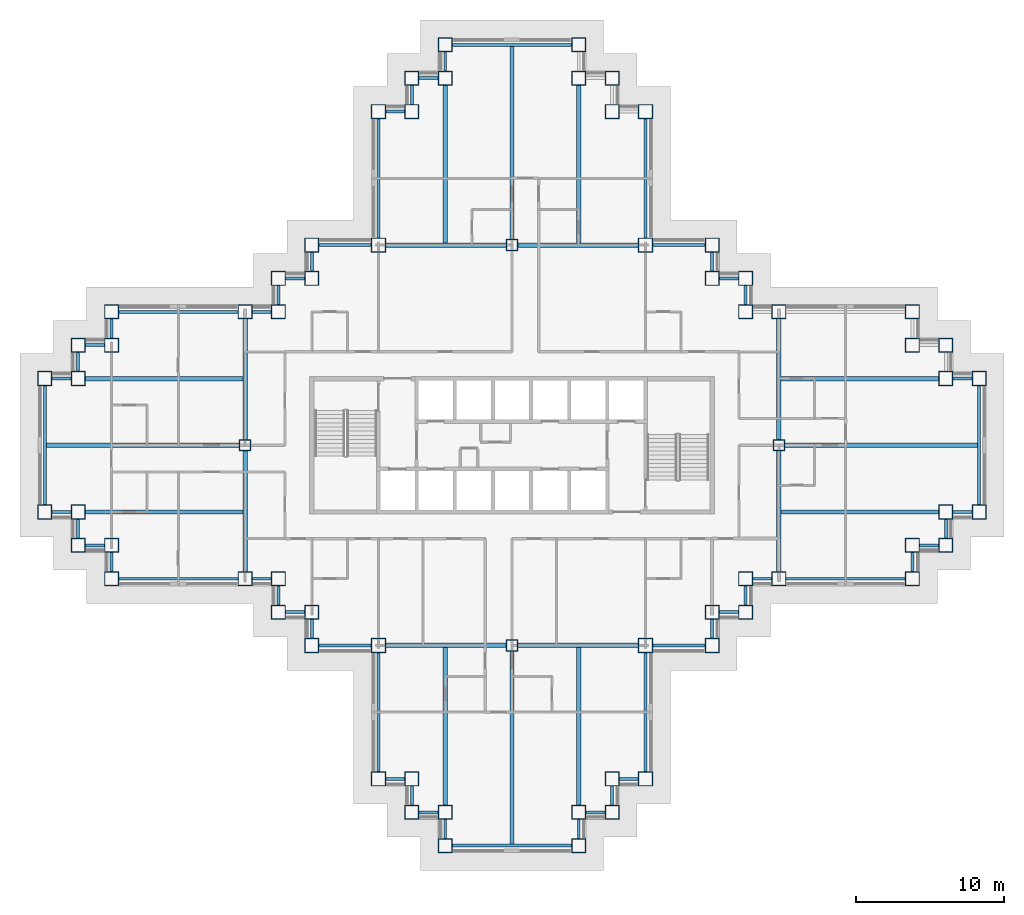
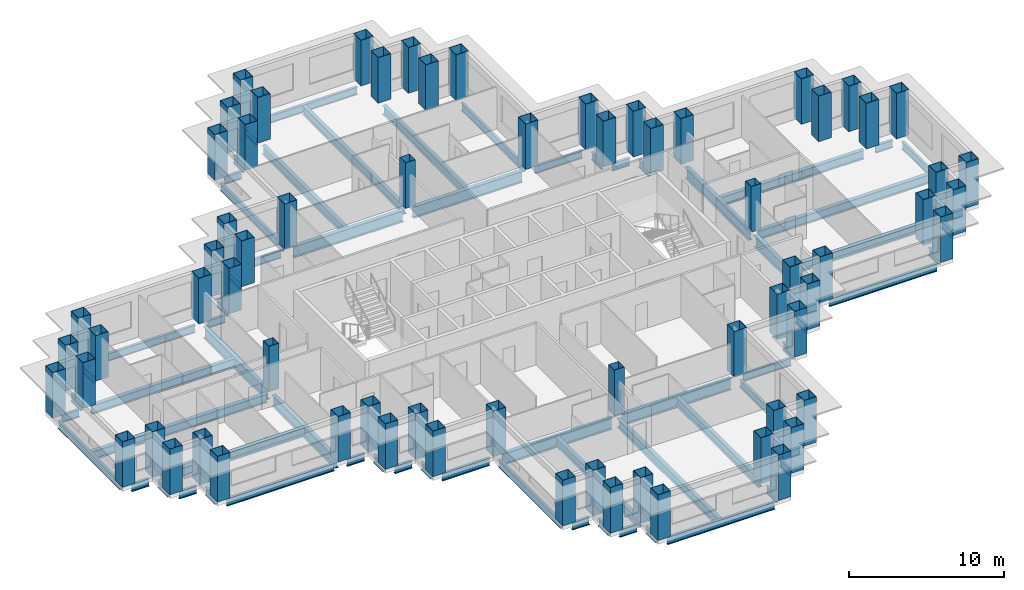
# One storey, part 1 of 14: 75 beams, 68 columns.
"""IFC4 building model written with IfcOpenShell, lengths in metres."""

from ifc_helpers import new_model, si_unit, direction, frame, origin, origin_2d, place, context, subcontext, project, spatial, hollow_rectangle, i_section, extrude, material, material_profile, profile_set, type_object, element, save


model = new_model("IFC4")

# Units and contexts
model_context = context("Model", 3, precision=1e-05, world=origin(), true_north=direction((0.0, 1.0)))
body_context = subcontext(model_context, "Body", "Model", "MODEL_VIEW")
ifc_project = project(units=[si_unit("LENGTHUNIT", "METRE"), si_unit("AREAUNIT", "SQUARE_METRE"), si_unit("VOLUMEUNIT", "CUBIC_METRE"), si_unit("PLANEANGLEUNIT", "RADIAN"), si_unit("MASSUNIT", "GRAM", prefix="KILO")], contexts=[model_context])

# Site, building, storey
site_placement = place(None, origin())
site = spatial("IfcSite", under=ifc_project, at=site_placement, CompositionType="ELEMENT")
building_placement = place(site_placement, origin())
building = spatial("IfcBuilding", under=site, at=building_placement, Name="Caravel Reach Hotel and Residences", CompositionType="ELEMENT")
storey_placement = place(building_placement, frame((0.0, 0.0, 88.800048828125)))
storey = spatial("IfcBuildingStorey", under=building, at=storey_placement, Name="L21", CompositionType="ELEMENT", Elevation=88.800048828125)

# Columns
ifc_material_1 = material(Name="Concrete-filled steel tube Q390B with Concrete C70 infill", Category="concrete")
ifc_material_profile_1 = material_profile(ifc_material_1, hollow_rectangle(XDim=0.75, YDim=0.75, WallThickness=0.02392578125, at=origin_2d()), Name="RHS 750x750x24")
ifc_profile_set_1 = profile_set([ifc_material_profile_1], Name="Concrete-filled steel tube Q390B with Concrete C70 infill")
column_type_1 = type_object("IfcColumnType", Name="CFT 750x750 Q390B C70", PredefinedType="COLUMN", material=ifc_profile_set_1)
for number, where, z_axis, x_axis, name in (
    (1, (31.5, 40.5, 0.0), (0.0, 0.0, 1.0), (1.0, 0.0, 0.0), "C16 column"),
    (2, (31.5, 13.5, 0.0), (0.0, 0.0, 1.0), (1.0, 0.0, 0.0), "C16 column"),
    (3, (13.5, 27.0, 0.0), (0.0, 0.0, 1.0), (1.0, 0.0, 0.0), "C16 column"),
    (4, (49.5, 27.0, 0.0), (0.0, 0.0, 1.0), (1.0, 0.0, 0.0), "C16 column"),
):
    element("IfcColumn", number, at=place(storey_placement, frame(where, z_axis=z_axis, x_axis=x_axis)), inside=storey, type_object=column_type_1, Name=name, PredefinedType="COLUMN", context=body_context, shape_type="SweptSolid", body=[
        extrude(hollow_rectangle(XDim=0.75, YDim=0.75, WallThickness=0.02392578125, at=origin_2d()), origin(), (0.0, 0.0, 1.0), 3.599853515625),
    ])
ifc_material_2 = material(Name="Concrete-filled steel tube Q390B with Concrete C70 infill", Category="concrete")
ifc_material_profile_2 = material_profile(ifc_material_2, hollow_rectangle(XDim=0.949951171875, YDim=0.949951171875, WallThickness=0.030029296875, at=origin_2d()), Name="RHS 950x950x30")
ifc_profile_set_2 = profile_set([ifc_material_profile_2], Name="Concrete-filled steel tube Q390B with Concrete C70 infill")
column_type_2 = type_object("IfcColumnType", Name="CFT 950x950 Q390B C70", PredefinedType="COLUMN", material=ifc_profile_set_2)
for number, where, z_axis, x_axis, name in (
    (5, (22.5, 4.5, 0.0), (0.0, 0.0, 1.0), (1.0, 0.0, 0.0), "C12 column"),
    (6, (24.75, 4.5, 0.0), (0.0, 0.0, 1.0), (1.0, 0.0, 0.0), "C12 column"),
    (7, (24.75, 2.25, 0.0), (0.0, 0.0, 1.0), (1.0, 0.0, 0.0), "C12 column"),
    (8, (27.0, 2.25, 0.0), (0.0, 0.0, 1.0), (1.0, 0.0, 0.0), "C12 column"),
    (9, (27.0, 0.0, 0.0), (0.0, 0.0, 1.0), (1.0, 0.0, 0.0), "C12 column"),
    (10, (36.0, 0.0, 0.0), (0.0, 0.0, 1.0), (1.0, 0.0, 0.0), "C12 column"),
    (11, (36.0, 2.25, 0.0), (0.0, 0.0, 1.0), (1.0, 0.0, 0.0), "C12 column"),
    (12, (38.25, 2.25, 0.0), (0.0, 0.0, 1.0), (1.0, 0.0, 0.0), "C12 column"),
    (13, (38.25, 4.5, 0.0), (0.0, 0.0, 1.0), (1.0, 0.0, 0.0), "C12 column"),
    (14, (40.5, 4.5, 0.0), (0.0, 0.0, 1.0), (1.0, 0.0, 0.0), "C12 column"),
    (15, (40.5, 13.5, 0.0), (0.0, 0.0, 1.0), (1.0, 0.0, 0.0), "C12 column"),
    (16, (45.0, 13.5, 0.0), (0.0, 0.0, 1.0), (1.0, 0.0, 0.0), "C12 column"),
    (17, (45.0, 15.75, 0.0), (0.0, 0.0, 1.0), (1.0, 0.0, 0.0), "C12 column"),
    (18, (47.25, 15.75, 0.0), (0.0, 0.0, 1.0), (1.0, 0.0, 0.0), "C12 column"),
    (19, (47.25, 18.0, 0.0), (0.0, 0.0, 1.0), (1.0, 0.0, 0.0), "C12 column"),
    (20, (49.5, 18.0, 0.0), (0.0, 0.0, 1.0), (1.0, 0.0, 0.0), "C12 column"),
    (21, (58.5, 18.0, 0.0), (0.0, 0.0, 1.0), (1.0, 0.0, 0.0), "C12 column"),
    (22, (58.5, 20.25, 0.0), (0.0, 0.0, 1.0), (1.0, 0.0, 0.0), "C12 column"),
    (23, (60.75, 20.25, 0.0), (0.0, 0.0, 1.0), (1.0, 0.0, 0.0), "C12 column"),
    (24, (60.75, 22.5, 0.0), (0.0, 0.0, 1.0), (1.0, 0.0, 0.0), "C12 column"),
    (25, (63.0, 22.5, 0.0), (0.0, 0.0, 1.0), (1.0, 0.0, 0.0), "C12 column"),
    (26, (63.0, 31.5, 0.0), (0.0, 0.0, 1.0), (1.0, 0.0, 0.0), "C12 column"),
    (27, (60.75, 31.5, 0.0), (0.0, 0.0, 1.0), (1.0, 0.0, 0.0), "C12 column"),
    (28, (60.75, 33.75, 0.0), (0.0, 0.0, 1.0), (1.0, 0.0, 0.0), "C12 column"),
    (29, (58.5, 33.75, 0.0), (0.0, 0.0, 1.0), (1.0, 0.0, 0.0), "C12 column"),
    (30, (58.5, 36.0, 0.0), (0.0, 0.0, 1.0), (1.0, 0.0, 0.0), "C12 column"),
    (31, (49.5, 36.0, 0.0), (0.0, 0.0, 1.0), (1.0, 0.0, 0.0), "C12 column"),
    (32, (47.25, 36.0, 0.0), (0.0, 0.0, 1.0), (1.0, 0.0, 0.0), "C12 column"),
    (33, (47.25, 38.25, 0.0), (0.0, 0.0, 1.0), (1.0, 0.0, 0.0), "C12 column"),
    (34, (45.0, 38.25, 0.0), (0.0, 0.0, 1.0), (1.0, 0.0, 0.0), "C12 column"),
    (35, (45.0, 40.5, 0.0), (0.0, 0.0, 1.0), (1.0, 0.0, 0.0), "C12 column"),
    (36, (40.5, 40.5, 0.0), (0.0, 0.0, 1.0), (1.0, 0.0, 0.0), "C12 column"),
    (37, (40.5, 49.5, 0.0), (0.0, 0.0, 1.0), (1.0, 0.0, 0.0), "C12 column"),
    (38, (38.25, 49.5, 0.0), (0.0, 0.0, 1.0), (1.0, 0.0, 0.0), "C12 column"),
    (39, (38.25, 51.75, 0.0), (0.0, 0.0, 1.0), (1.0, 0.0, 0.0), "C12 column"),
    (40, (36.0, 51.75, 0.0), (0.0, 0.0, 1.0), (1.0, 0.0, 0.0), "C12 column"),
    (41, (36.0, 54.0, 0.0), (0.0, 0.0, 1.0), (1.0, 0.0, 0.0), "C12 column"),
    (42, (27.0, 54.0, 0.0), (0.0, 0.0, 1.0), (1.0, 0.0, 0.0), "C12 column"),
    (43, (27.0, 51.75, 0.0), (0.0, 0.0, 1.0), (1.0, 0.0, 0.0), "C12 column"),
    (44, (24.75, 51.75, 0.0), (0.0, 0.0, 1.0), (1.0, 0.0, 0.0), "C12 column"),
    (45, (24.75, 49.5, 0.0), (0.0, 0.0, 1.0), (1.0, 0.0, 0.0), "C12 column"),
    (46, (22.5, 49.5, 0.0), (0.0, 0.0, 1.0), (1.0, 0.0, 0.0), "C12 column"),
    (47, (22.5, 40.5, 0.0), (0.0, 0.0, 1.0), (1.0, 0.0, 0.0), "C12 column"),
    (48, (18.0, 40.5, 0.0), (0.0, 0.0, 1.0), (1.0, 0.0, 0.0), "C12 column"),
    (49, (18.0, 38.25, 0.0), (0.0, 0.0, 1.0), (1.0, 0.0, 0.0), "C12 column"),
    (50, (15.75, 38.25, 0.0), (0.0, 0.0, 1.0), (1.0, 0.0, 0.0), "C12 column"),
    (51, (15.75, 36.0, 0.0), (0.0, 0.0, 1.0), (1.0, 0.0, 0.0), "C12 column"),
    (52, (13.5, 36.0, 0.0), (0.0, 0.0, 1.0), (1.0, 0.0, 0.0), "C12 column"),
    (53, (4.5, 36.0, 0.0), (0.0, 0.0, 1.0), (1.0, 0.0, 0.0), "C12 column"),
    (54, (4.5, 33.75, 0.0), (0.0, 0.0, 1.0), (1.0, 0.0, 0.0), "C12 column"),
    (55, (2.25, 33.75, 0.0), (0.0, 0.0, 1.0), (1.0, 0.0, 0.0), "C12 column"),
    (56, (2.25, 31.5, 0.0), (0.0, 0.0, 1.0), (1.0, 0.0, 0.0), "C12 column"),
    (57, (0.0, 31.5, 0.0), (0.0, 0.0, 1.0), (1.0, 0.0, 0.0), "C12 column"),
    (58, (0.0, 22.5, 0.0), (0.0, 0.0, 1.0), (1.0, 0.0, 0.0), "C12 column"),
    (59, (2.25, 22.5, 0.0), (0.0, 0.0, 1.0), (1.0, 0.0, 0.0), "C12 column"),
    (60, (2.25, 20.25, 0.0), (0.0, 0.0, 1.0), (1.0, 0.0, 0.0), "C12 column"),
    (61, (4.5, 20.25, 0.0), (0.0, 0.0, 1.0), (1.0, 0.0, 0.0), "C12 column"),
    (62, (4.5, 18.0, 0.0), (0.0, 0.0, 1.0), (1.0, 0.0, 0.0), "C12 column"),
    (63, (13.5, 18.0, 0.0), (0.0, 0.0, 1.0), (1.0, 0.0, 0.0), "C12 column"),
    (64, (15.75, 18.0, 0.0), (0.0, 0.0, 1.0), (1.0, 0.0, 0.0), "C12 column"),
    (65, (15.75, 15.75, 0.0), (0.0, 0.0, 1.0), (1.0, 0.0, 0.0), "C12 column"),
    (66, (18.0, 15.75, 0.0), (0.0, 0.0, 1.0), (1.0, 0.0, 0.0), "C12 column"),
    (67, (18.0, 13.5, 0.0), (0.0, 0.0, 1.0), (1.0, 0.0, 0.0), "C12 column"),
    (68, (22.5, 13.5, 0.0), (0.0, 0.0, 1.0), (1.0, 0.0, 0.0), "C12 column"),
):
    element("IfcColumn", number, at=place(storey_placement, frame(where, z_axis=z_axis, x_axis=x_axis)), inside=storey, type_object=column_type_2, Name=name, PredefinedType="COLUMN", context=body_context, shape_type="SweptSolid", body=[
        extrude(hollow_rectangle(XDim=0.949951171875, YDim=0.949951171875, WallThickness=0.030029296875, at=origin_2d()), origin(), (0.0, 0.0, 1.0), 3.599853515625),
    ])

# Beams
ifc_material_3 = material(Name="Structural steel Q355B", Category="steel")
ifc_material_profile_3 = material_profile(ifc_material_3, i_section(OverallWidth=0.300048828125, OverallDepth=0.699951171875, WebThickness=0.012939453125, FlangeThickness=0.02392578125, FilletRadius=0.01806640625, at=origin_2d()), Name="HN 700x300x13x24")
ifc_profile_set_3 = profile_set([ifc_material_profile_3], Name="Structural steel Q355B")
beam_type_1 = type_object("IfcBeamType", Name="Beam HN 700x300x13x24", PredefinedType="BEAM", material=ifc_profile_set_3)
beam_1_placement = place(storey_placement, frame((27.0, 40.60009765625, -0.650146484375), z_axis=(0.0, 1.0, 0.0), x_axis=(-1.0, 0.0, 0.0)))
element("IfcBeam", 69, at=beam_1_placement, inside=storey, type_object=beam_type_1, Name="B2 HN 700x300x13x24", PredefinedType="BEAM", context=body_context, shape_type="SweptSolid", body=[
    extrude(i_section(OverallWidth=0.300048828125, OverallDepth=0.699951171875, WebThickness=0.012939453125, FlangeThickness=0.02392578125, FilletRadius=0.01806640625, at=origin_2d()), origin(), (0.0, 0.0, 1.0), 10.724853515625),
])
beam_2_placement = place(storey_placement, frame((31.5, 40.824951171875, -0.650146484375), z_axis=(0.0, 1.0, 0.0), x_axis=(-1.0, 0.0, 0.0)))
element("IfcBeam", 70, at=beam_2_placement, inside=storey, type_object=beam_type_1, Name="B2 HN 700x300x13x24", PredefinedType="BEAM", context=body_context, shape_type="SweptSolid", body=[
    extrude(i_section(OverallWidth=0.300048828125, OverallDepth=0.699951171875, WebThickness=0.012939453125, FlangeThickness=0.02392578125, FilletRadius=0.01806640625, at=origin_2d()), origin(), (0.0, 0.0, 1.0), 13.074951171875),
])
for number, where, z_axis, x_axis, name in (
    (71, (36.0, 40.60009765625, -0.650146484375), (0.0, 1.0, 0.0), (-1.0, 0.0, 0.0), "B2 HN 700x300x13x24"),
    (72, (27.0, 13.39990234375, -0.650146484375), (0.0, -1.0, 0.0), (1.0, 0.0, 0.0), "B2 HN 700x300x13x24"),
):
    element("IfcBeam", number, at=place(storey_placement, frame(where, z_axis=z_axis, x_axis=x_axis)), inside=storey, type_object=beam_type_1, Name=name, PredefinedType="BEAM", context=body_context, shape_type="SweptSolid", body=[
        extrude(i_section(OverallWidth=0.300048828125, OverallDepth=0.699951171875, WebThickness=0.012939453125, FlangeThickness=0.02392578125, FilletRadius=0.01806640625, at=origin_2d()), origin(), (0.0, 0.0, 1.0), 10.724853515625),
    ])
beam_3_placement = place(storey_placement, frame((31.5, 13.175048828125, -0.650146484375), z_axis=(0.0, -1.0, 0.0), x_axis=(1.0, 0.0, 0.0)))
element("IfcBeam", 73, at=beam_3_placement, inside=storey, type_object=beam_type_1, Name="B2 HN 700x300x13x24", PredefinedType="BEAM", context=body_context, shape_type="SweptSolid", body=[
    extrude(i_section(OverallWidth=0.300048828125, OverallDepth=0.699951171875, WebThickness=0.012939453125, FlangeThickness=0.02392578125, FilletRadius=0.01806640625, at=origin_2d()), origin(), (0.0, 0.0, 1.0), 13.074951171875),
])
for number, where, z_axis, x_axis, name in (
    (74, (36.0, 13.39990234375, -0.650146484375), (0.0, -1.0, 0.0), (1.0, 0.0, 0.0), "B2 HN 700x300x13x24"),
    (75, (49.60009765625, 22.5, -0.650146484375), (1.0, 0.0, 0.0), (0.0, 1.0, 0.0), "B2 HN 700x300x13x24"),
):
    element("IfcBeam", number, at=place(storey_placement, frame(where, z_axis=z_axis, x_axis=x_axis)), inside=storey, type_object=beam_type_1, Name=name, PredefinedType="BEAM", context=body_context, shape_type="SweptSolid", body=[
        extrude(i_section(OverallWidth=0.300048828125, OverallDepth=0.699951171875, WebThickness=0.012939453125, FlangeThickness=0.02392578125, FilletRadius=0.01806640625, at=origin_2d()), origin(), (0.0, 0.0, 1.0), 10.724853515625),
    ])
beam_4_placement = place(storey_placement, frame((49.824951171875, 27.0, -0.650146484375), z_axis=(1.0, 0.0, 0.0), x_axis=(0.0, 1.0, 0.0)))
element("IfcBeam", 76, at=beam_4_placement, inside=storey, type_object=beam_type_1, Name="B2 HN 700x300x13x24", PredefinedType="BEAM", context=body_context, shape_type="SweptSolid", body=[
    extrude(i_section(OverallWidth=0.300048828125, OverallDepth=0.699951171875, WebThickness=0.012939453125, FlangeThickness=0.02392578125, FilletRadius=0.01806640625, at=origin_2d()), origin(), (0.0, 0.0, 1.0), 13.074951171875),
])
for number, where, z_axis, x_axis, name in (
    (77, (49.60009765625, 31.5, -0.650146484375), (1.0, 0.0, 0.0), (0.0, 1.0, 0.0), "B2 HN 700x300x13x24"),
    (78, (13.39990234375, 22.5, -0.650146484375), (-1.0, 0.0, 0.0), (0.0, -1.0, 0.0), "B2 HN 700x300x13x24"),
):
    element("IfcBeam", number, at=place(storey_placement, frame(where, z_axis=z_axis, x_axis=x_axis)), inside=storey, type_object=beam_type_1, Name=name, PredefinedType="BEAM", context=body_context, shape_type="SweptSolid", body=[
        extrude(i_section(OverallWidth=0.300048828125, OverallDepth=0.699951171875, WebThickness=0.012939453125, FlangeThickness=0.02392578125, FilletRadius=0.01806640625, at=origin_2d()), origin(), (0.0, 0.0, 1.0), 10.724853515625),
    ])
beam_5_placement = place(storey_placement, frame((13.175048828125, 27.0, -0.650146484375), z_axis=(-1.0, 0.0, 0.0), x_axis=(0.0, -1.0, 0.0)))
element("IfcBeam", 79, at=beam_5_placement, inside=storey, type_object=beam_type_1, Name="B2 HN 700x300x13x24", PredefinedType="BEAM", context=body_context, shape_type="SweptSolid", body=[
    extrude(i_section(OverallWidth=0.300048828125, OverallDepth=0.699951171875, WebThickness=0.012939453125, FlangeThickness=0.02392578125, FilletRadius=0.01806640625, at=origin_2d()), origin(), (0.0, 0.0, 1.0), 13.074951171875),
])
beam_6_placement = place(storey_placement, frame((13.39990234375, 31.5, -0.650146484375), z_axis=(-1.0, 0.0, 0.0), x_axis=(0.0, -1.0, 0.0)))
element("IfcBeam", 80, at=beam_6_placement, inside=storey, type_object=beam_type_1, Name="B2 HN 700x300x13x24", PredefinedType="BEAM", context=body_context, shape_type="SweptSolid", body=[
    extrude(i_section(OverallWidth=0.300048828125, OverallDepth=0.699951171875, WebThickness=0.012939453125, FlangeThickness=0.02392578125, FilletRadius=0.01806640625, at=origin_2d()), origin(), (0.0, 0.0, 1.0), 10.724853515625),
])
ifc_material_4 = material(Name="Structural steel Q355B", Category="steel")
ifc_material_profile_4 = material_profile(ifc_material_4, i_section(OverallWidth=0.300048828125, OverallDepth=0.89990234375, WebThickness=0.01611328125, FlangeThickness=0.028076171875, FilletRadius=0.01806640625, at=origin_2d()), Name="HN 900x300x16x28")
ifc_profile_set_4 = profile_set([ifc_material_profile_4], Name="Structural steel Q355B")
beam_type_2 = type_object("IfcBeamType", Name="Beam HN 900x300x16x28", PredefinedType="BEAM", material=ifc_profile_set_4)
for number, where, z_axis, x_axis, name in (
    (81, (22.97509765625, 40.5, -0.75), (1.0, 0.0, 0.0), (0.0, 1.0, 0.0), "B3 HN 900x300x16x28"),
    (82, (31.875, 40.5, -0.75), (1.0, 0.0, 0.0), (0.0, 1.0, 0.0), "B3 HN 900x300x16x28"),
    (83, (22.97509765625, 13.5, -0.75), (1.0, 0.0, 0.0), (0.0, 1.0, 0.0), "B3 HN 900x300x16x28"),
    (84, (31.875, 13.5, -0.75), (1.0, 0.0, 0.0), (0.0, 1.0, 0.0), "B3 HN 900x300x16x28"),
    (85, (13.5, 18.47509765625, -0.75), (0.0, 1.0, 0.0), (-1.0, 0.0, 0.0), "B3 HN 900x300x16x28"),
    (86, (13.5, 27.375, -0.75), (0.0, 1.0, 0.0), (-1.0, 0.0, 0.0), "B3 HN 900x300x16x28"),
    (87, (49.5, 18.47509765625, -0.75), (0.0, 1.0, 0.0), (-1.0, 0.0, 0.0), "B3 HN 900x300x16x28"),
    (88, (49.5, 27.375, -0.75), (0.0, 1.0, 0.0), (-1.0, 0.0, 0.0), "B3 HN 900x300x16x28"),
):
    element("IfcBeam", number, at=place(storey_placement, frame(where, z_axis=z_axis, x_axis=x_axis)), inside=storey, type_object=beam_type_2, Name=name, PredefinedType="BEAM", context=body_context, shape_type="SweptSolid", body=[
        extrude(i_section(OverallWidth=0.300048828125, OverallDepth=0.89990234375, WebThickness=0.01611328125, FlangeThickness=0.028076171875, FilletRadius=0.01806640625, at=origin_2d()), origin(), (0.0, 0.0, 1.0), 8.14990234375),
    ])
ifc_material_5 = material(Name="Structural steel Q355B", Category="steel")
ifc_material_profile_5 = material_profile(ifc_material_5, i_section(OverallWidth=0.199951171875, OverallDepth=0.60009765625, WebThickness=0.010986328125, FlangeThickness=0.01708984375, FilletRadius=0.012939453125, at=origin_2d()), Name="HN 600x200x11x17")
ifc_profile_set_5 = profile_set([ifc_material_profile_5], Name="Structural steel Q355B")
beam_type_3 = type_object("IfcBeamType", Name="Spandrel beam HN 600x200x11x17", PredefinedType="SPANDREL", material=ifc_profile_set_5)
for number, where, z_axis, x_axis, name in (
    (89, (22.97509765625, 4.5, -0.60009765625), (1.0, 0.0, 0.0), (0.0, 1.0, 0.0), "SP1 HN 600x200x11x17"),
    (90, (24.75, 4.02490234375, -0.60009765625), (0.0, -1.0, 0.0), (1.0, 0.0, 0.0), "SP1 HN 600x200x11x17"),
    (91, (25.22509765625, 2.25, -0.60009765625), (1.0, 0.0, 0.0), (0.0, 1.0, 0.0), "SP1 HN 600x200x11x17"),
    (92, (27.0, 1.77490234375, -0.60009765625), (0.0, -1.0, 0.0), (1.0, 0.0, 0.0), "SP1 HN 600x200x11x17"),
):
    element("IfcBeam", number, at=place(storey_placement, frame(where, z_axis=z_axis, x_axis=x_axis)), inside=storey, type_object=beam_type_3, Name=name, PredefinedType="SPANDREL", context=body_context, shape_type="SweptSolid", body=[
        extrude(i_section(OverallWidth=0.199951171875, OverallDepth=0.60009765625, WebThickness=0.010986328125, FlangeThickness=0.01708984375, FilletRadius=0.012939453125, at=origin_2d()), origin(), (0.0, 0.0, 1.0), 1.2998046875),
    ])
beam_7_placement = place(storey_placement, frame((27.47509765625, 0.0, -0.60009765625), z_axis=(1.0, 0.0, 0.0), x_axis=(0.0, 1.0, 0.0)))
element("IfcBeam", 93, at=beam_7_placement, inside=storey, type_object=beam_type_3, Name="SP1 HN 600x200x11x17", PredefinedType="SPANDREL", context=body_context, shape_type="SweptSolid", body=[
    extrude(i_section(OverallWidth=0.199951171875, OverallDepth=0.60009765625, WebThickness=0.010986328125, FlangeThickness=0.01708984375, FilletRadius=0.012939453125, at=origin_2d()), origin(), (0.0, 0.0, 1.0), 8.0498046875),
])
for number, where, z_axis, x_axis, name in (
    (94, (36.0, 0.47509765625, -0.60009765625), (0.0, 1.0, 0.0), (-1.0, 0.0, 0.0), "SP1 HN 600x200x11x17"),
    (95, (36.47509765625, 2.25, -0.60009765625), (1.0, 0.0, 0.0), (0.0, 1.0, 0.0), "SP1 HN 600x200x11x17"),
    (96, (38.25, 2.72509765625, -0.60009765625), (0.0, 1.0, 0.0), (-1.0, 0.0, 0.0), "SP1 HN 600x200x11x17"),
    (97, (38.72509765625, 4.5, -0.60009765625), (1.0, 0.0, 0.0), (0.0, 1.0, 0.0), "SP1 HN 600x200x11x17"),
):
    element("IfcBeam", number, at=place(storey_placement, frame(where, z_axis=z_axis, x_axis=x_axis)), inside=storey, type_object=beam_type_3, Name=name, PredefinedType="SPANDREL", context=body_context, shape_type="SweptSolid", body=[
        extrude(i_section(OverallWidth=0.199951171875, OverallDepth=0.60009765625, WebThickness=0.010986328125, FlangeThickness=0.01708984375, FilletRadius=0.012939453125, at=origin_2d()), origin(), (0.0, 0.0, 1.0), 1.2998046875),
    ])
beam_8_placement = place(storey_placement, frame((40.5, 4.97509765625, -0.60009765625), z_axis=(0.0, 1.0, 0.0), x_axis=(-1.0, 0.0, 0.0)))
element("IfcBeam", 98, at=beam_8_placement, inside=storey, type_object=beam_type_3, Name="SP1 HN 600x200x11x17", PredefinedType="SPANDREL", context=body_context, shape_type="SweptSolid", body=[
    extrude(i_section(OverallWidth=0.199951171875, OverallDepth=0.60009765625, WebThickness=0.010986328125, FlangeThickness=0.01708984375, FilletRadius=0.012939453125, at=origin_2d()), origin(), (0.0, 0.0, 1.0), 8.0498046875),
])
beam_9_placement = place(storey_placement, frame((40.97509765625, 13.5, -0.60009765625), z_axis=(1.0, 0.0, 0.0), x_axis=(0.0, 1.0, 0.0)))
element("IfcBeam", 99, at=beam_9_placement, inside=storey, type_object=beam_type_3, Name="SP1 HN 600x200x11x17", PredefinedType="SPANDREL", context=body_context, shape_type="SweptSolid", body=[
    extrude(i_section(OverallWidth=0.199951171875, OverallDepth=0.60009765625, WebThickness=0.010986328125, FlangeThickness=0.01708984375, FilletRadius=0.012939453125, at=origin_2d()), origin(), (0.0, 0.0, 1.0), 3.5498046875),
])
for number, where, z_axis, x_axis, name in (
    (100, (45.0, 13.97509765625, -0.60009765625), (0.0, 1.0, 0.0), (-1.0, 0.0, 0.0), "SP1 HN 600x200x11x17"),
    (101, (45.47509765625, 15.75, -0.60009765625), (1.0, 0.0, 0.0), (0.0, 1.0, 0.0), "SP1 HN 600x200x11x17"),
    (102, (47.25, 16.22509765625, -0.60009765625), (0.0, 1.0, 0.0), (-1.0, 0.0, 0.0), "SP1 HN 600x200x11x17"),
    (103, (47.72509765625, 18.0, -0.60009765625), (1.0, 0.0, 0.0), (0.0, 1.0, 0.0), "SP1 HN 600x200x11x17"),
):
    element("IfcBeam", number, at=place(storey_placement, frame(where, z_axis=z_axis, x_axis=x_axis)), inside=storey, type_object=beam_type_3, Name=name, PredefinedType="SPANDREL", context=body_context, shape_type="SweptSolid", body=[
        extrude(i_section(OverallWidth=0.199951171875, OverallDepth=0.60009765625, WebThickness=0.010986328125, FlangeThickness=0.01708984375, FilletRadius=0.012939453125, at=origin_2d()), origin(), (0.0, 0.0, 1.0), 1.2998046875),
    ])
beam_10_placement = place(storey_placement, frame((49.97509765625, 18.0, -0.60009765625), z_axis=(1.0, 0.0, 0.0), x_axis=(0.0, 1.0, 0.0)))
element("IfcBeam", 104, at=beam_10_placement, inside=storey, type_object=beam_type_3, Name="SP1 HN 600x200x11x17", PredefinedType="SPANDREL", context=body_context, shape_type="SweptSolid", body=[
    extrude(i_section(OverallWidth=0.199951171875, OverallDepth=0.60009765625, WebThickness=0.010986328125, FlangeThickness=0.01708984375, FilletRadius=0.012939453125, at=origin_2d()), origin(), (0.0, 0.0, 1.0), 8.0498046875),
])
for number, where, z_axis, x_axis, name in (
    (105, (58.5, 18.47509765625, -0.60009765625), (0.0, 1.0, 0.0), (-1.0, 0.0, 0.0), "SP1 HN 600x200x11x17"),
    (106, (58.97509765625, 20.25, -0.60009765625), (1.0, 0.0, 0.0), (0.0, 1.0, 0.0), "SP1 HN 600x200x11x17"),
    (107, (60.75, 20.72509765625, -0.60009765625), (0.0, 1.0, 0.0), (-1.0, 0.0, 0.0), "SP1 HN 600x200x11x17"),
    (108, (61.22509765625, 22.5, -0.60009765625), (1.0, 0.0, 0.0), (0.0, 1.0, 0.0), "SP1 HN 600x200x11x17"),
):
    element("IfcBeam", number, at=place(storey_placement, frame(where, z_axis=z_axis, x_axis=x_axis)), inside=storey, type_object=beam_type_3, Name=name, PredefinedType="SPANDREL", context=body_context, shape_type="SweptSolid", body=[
        extrude(i_section(OverallWidth=0.199951171875, OverallDepth=0.60009765625, WebThickness=0.010986328125, FlangeThickness=0.01708984375, FilletRadius=0.012939453125, at=origin_2d()), origin(), (0.0, 0.0, 1.0), 1.2998046875),
    ])
beam_11_placement = place(storey_placement, frame((63.0, 22.97509765625, -0.60009765625), z_axis=(0.0, 1.0, 0.0), x_axis=(-1.0, 0.0, 0.0)))
element("IfcBeam", 109, at=beam_11_placement, inside=storey, type_object=beam_type_3, Name="SP1 HN 600x200x11x17", PredefinedType="SPANDREL", context=body_context, shape_type="SweptSolid", body=[
    extrude(i_section(OverallWidth=0.199951171875, OverallDepth=0.60009765625, WebThickness=0.010986328125, FlangeThickness=0.01708984375, FilletRadius=0.012939453125, at=origin_2d()), origin(), (0.0, 0.0, 1.0), 8.0498046875),
])
for number, where, z_axis, x_axis, name in (
    (110, (62.52490234375, 31.5, -0.60009765625), (-1.0, 0.0, 0.0), (0.0, -1.0, 0.0), "SP1 HN 600x200x11x17"),
    (111, (47.25, 36.47509765625, -0.60009765625), (0.0, 1.0, 0.0), (-1.0, 0.0, 0.0), "SP1 HN 600x200x11x17"),
    (112, (46.77490234375, 38.25, -0.60009765625), (-1.0, 0.0, 0.0), (0.0, -1.0, 0.0), "SP1 HN 600x200x11x17"),
    (113, (45.0, 38.72509765625, -0.60009765625), (0.0, 1.0, 0.0), (-1.0, 0.0, 0.0), "SP1 HN 600x200x11x17"),
):
    element("IfcBeam", number, at=place(storey_placement, frame(where, z_axis=z_axis, x_axis=x_axis)), inside=storey, type_object=beam_type_3, Name=name, PredefinedType="SPANDREL", context=body_context, shape_type="SweptSolid", body=[
        extrude(i_section(OverallWidth=0.199951171875, OverallDepth=0.60009765625, WebThickness=0.010986328125, FlangeThickness=0.01708984375, FilletRadius=0.012939453125, at=origin_2d()), origin(), (0.0, 0.0, 1.0), 1.2998046875),
    ])
beam_12_placement = place(storey_placement, frame((44.52490234375, 40.5, -0.60009765625), z_axis=(-1.0, 0.0, 0.0), x_axis=(0.0, -1.0, 0.0)))
element("IfcBeam", 114, at=beam_12_placement, inside=storey, type_object=beam_type_3, Name="SP1 HN 600x200x11x17", PredefinedType="SPANDREL", context=body_context, shape_type="SweptSolid", body=[
    extrude(i_section(OverallWidth=0.199951171875, OverallDepth=0.60009765625, WebThickness=0.010986328125, FlangeThickness=0.01708984375, FilletRadius=0.012939453125, at=origin_2d()), origin(), (0.0, 0.0, 1.0), 3.5498046875),
])
for number, where, z_axis, x_axis, name in (
    (115, (40.5, 40.97509765625, -0.60009765625), (0.0, 1.0, 0.0), (-1.0, 0.0, 0.0), "SP1 HN 600x200x11x17"),
    (116, (35.52490234375, 54.0, -0.60009765625), (-1.0, 0.0, 0.0), (0.0, -1.0, 0.0), "SP1 HN 600x200x11x17"),
):
    element("IfcBeam", number, at=place(storey_placement, frame(where, z_axis=z_axis, x_axis=x_axis)), inside=storey, type_object=beam_type_3, Name=name, PredefinedType="SPANDREL", context=body_context, shape_type="SweptSolid", body=[
        extrude(i_section(OverallWidth=0.199951171875, OverallDepth=0.60009765625, WebThickness=0.010986328125, FlangeThickness=0.01708984375, FilletRadius=0.012939453125, at=origin_2d()), origin(), (0.0, 0.0, 1.0), 8.0498046875),
    ])
for number, where, z_axis, x_axis, name in (
    (117, (27.0, 53.52490234375, -0.60009765625), (0.0, -1.0, 0.0), (1.0, 0.0, 0.0), "SP1 HN 600x200x11x17"),
    (118, (26.52490234375, 51.75, -0.60009765625), (-1.0, 0.0, 0.0), (0.0, -1.0, 0.0), "SP1 HN 600x200x11x17"),
    (119, (24.75, 51.27490234375, -0.60009765625), (0.0, -1.0, 0.0), (1.0, 0.0, 0.0), "SP1 HN 600x200x11x17"),
    (120, (24.27490234375, 49.5, -0.60009765625), (-1.0, 0.0, 0.0), (0.0, -1.0, 0.0), "SP1 HN 600x200x11x17"),
):
    element("IfcBeam", number, at=place(storey_placement, frame(where, z_axis=z_axis, x_axis=x_axis)), inside=storey, type_object=beam_type_3, Name=name, PredefinedType="SPANDREL", context=body_context, shape_type="SweptSolid", body=[
        extrude(i_section(OverallWidth=0.199951171875, OverallDepth=0.60009765625, WebThickness=0.010986328125, FlangeThickness=0.01708984375, FilletRadius=0.012939453125, at=origin_2d()), origin(), (0.0, 0.0, 1.0), 1.2998046875),
    ])
beam_13_placement = place(storey_placement, frame((22.5, 49.02490234375, -0.60009765625), z_axis=(0.0, -1.0, 0.0), x_axis=(1.0, 0.0, 0.0)))
element("IfcBeam", 121, at=beam_13_placement, inside=storey, type_object=beam_type_3, Name="SP1 HN 600x200x11x17", PredefinedType="SPANDREL", context=body_context, shape_type="SweptSolid", body=[
    extrude(i_section(OverallWidth=0.199951171875, OverallDepth=0.60009765625, WebThickness=0.010986328125, FlangeThickness=0.01708984375, FilletRadius=0.012939453125, at=origin_2d()), origin(), (0.0, 0.0, 1.0), 8.0498046875),
])
beam_14_placement = place(storey_placement, frame((22.02490234375, 40.5, -0.60009765625), z_axis=(-1.0, 0.0, 0.0), x_axis=(0.0, -1.0, 0.0)))
element("IfcBeam", 122, at=beam_14_placement, inside=storey, type_object=beam_type_3, Name="SP1 HN 600x200x11x17", PredefinedType="SPANDREL", context=body_context, shape_type="SweptSolid", body=[
    extrude(i_section(OverallWidth=0.199951171875, OverallDepth=0.60009765625, WebThickness=0.010986328125, FlangeThickness=0.01708984375, FilletRadius=0.012939453125, at=origin_2d()), origin(), (0.0, 0.0, 1.0), 3.5498046875),
])
for number, where, z_axis, x_axis, name in (
    (123, (18.0, 40.02490234375, -0.60009765625), (0.0, -1.0, 0.0), (1.0, 0.0, 0.0), "SP1 HN 600x200x11x17"),
    (124, (17.52490234375, 38.25, -0.60009765625), (-1.0, 0.0, 0.0), (0.0, -1.0, 0.0), "SP1 HN 600x200x11x17"),
    (125, (15.75, 37.77490234375, -0.60009765625), (0.0, -1.0, 0.0), (1.0, 0.0, 0.0), "SP1 HN 600x200x11x17"),
    (126, (15.27490234375, 36.0, -0.60009765625), (-1.0, 0.0, 0.0), (0.0, -1.0, 0.0), "SP1 HN 600x200x11x17"),
):
    element("IfcBeam", number, at=place(storey_placement, frame(where, z_axis=z_axis, x_axis=x_axis)), inside=storey, type_object=beam_type_3, Name=name, PredefinedType="SPANDREL", context=body_context, shape_type="SweptSolid", body=[
        extrude(i_section(OverallWidth=0.199951171875, OverallDepth=0.60009765625, WebThickness=0.010986328125, FlangeThickness=0.01708984375, FilletRadius=0.012939453125, at=origin_2d()), origin(), (0.0, 0.0, 1.0), 1.2998046875),
    ])
beam_15_placement = place(storey_placement, frame((13.02490234375, 36.0, -0.60009765625), z_axis=(-1.0, 0.0, 0.0), x_axis=(0.0, -1.0, 0.0)))
element("IfcBeam", 127, at=beam_15_placement, inside=storey, type_object=beam_type_3, Name="SP1 HN 600x200x11x17", PredefinedType="SPANDREL", context=body_context, shape_type="SweptSolid", body=[
    extrude(i_section(OverallWidth=0.199951171875, OverallDepth=0.60009765625, WebThickness=0.010986328125, FlangeThickness=0.01708984375, FilletRadius=0.012939453125, at=origin_2d()), origin(), (0.0, 0.0, 1.0), 8.0498046875),
])
for number, where, z_axis, x_axis, name in (
    (128, (4.5, 35.52490234375, -0.60009765625), (0.0, -1.0, 0.0), (1.0, 0.0, 0.0), "SP1 HN 600x200x11x17"),
    (129, (4.02490234375, 33.75, -0.60009765625), (-1.0, 0.0, 0.0), (0.0, -1.0, 0.0), "SP1 HN 600x200x11x17"),
    (130, (2.25, 33.27490234375, -0.60009765625), (0.0, -1.0, 0.0), (1.0, 0.0, 0.0), "SP1 HN 600x200x11x17"),
    (131, (1.77490234375, 31.5, -0.60009765625), (-1.0, 0.0, 0.0), (0.0, -1.0, 0.0), "SP1 HN 600x200x11x17"),
):
    element("IfcBeam", number, at=place(storey_placement, frame(where, z_axis=z_axis, x_axis=x_axis)), inside=storey, type_object=beam_type_3, Name=name, PredefinedType="SPANDREL", context=body_context, shape_type="SweptSolid", body=[
        extrude(i_section(OverallWidth=0.199951171875, OverallDepth=0.60009765625, WebThickness=0.010986328125, FlangeThickness=0.01708984375, FilletRadius=0.012939453125, at=origin_2d()), origin(), (0.0, 0.0, 1.0), 1.2998046875),
    ])
beam_16_placement = place(storey_placement, frame((0.0, 31.02490234375, -0.60009765625), z_axis=(0.0, -1.0, 0.0), x_axis=(1.0, 0.0, 0.0)))
element("IfcBeam", 132, at=beam_16_placement, inside=storey, type_object=beam_type_3, Name="SP1 HN 600x200x11x17", PredefinedType="SPANDREL", context=body_context, shape_type="SweptSolid", body=[
    extrude(i_section(OverallWidth=0.199951171875, OverallDepth=0.60009765625, WebThickness=0.010986328125, FlangeThickness=0.01708984375, FilletRadius=0.012939453125, at=origin_2d()), origin(), (0.0, 0.0, 1.0), 8.0498046875),
])
for number, where, z_axis, x_axis, name in (
    (133, (0.47509765625, 22.5, -0.60009765625), (1.0, 0.0, 0.0), (0.0, 1.0, 0.0), "SP1 HN 600x200x11x17"),
    (134, (2.25, 22.02490234375, -0.60009765625), (0.0, -1.0, 0.0), (1.0, 0.0, 0.0), "SP1 HN 600x200x11x17"),
    (135, (2.72509765625, 20.25, -0.60009765625), (1.0, 0.0, 0.0), (0.0, 1.0, 0.0), "SP1 HN 600x200x11x17"),
    (136, (4.5, 19.77490234375, -0.60009765625), (0.0, -1.0, 0.0), (1.0, 0.0, 0.0), "SP1 HN 600x200x11x17"),
):
    element("IfcBeam", number, at=place(storey_placement, frame(where, z_axis=z_axis, x_axis=x_axis)), inside=storey, type_object=beam_type_3, Name=name, PredefinedType="SPANDREL", context=body_context, shape_type="SweptSolid", body=[
        extrude(i_section(OverallWidth=0.199951171875, OverallDepth=0.60009765625, WebThickness=0.010986328125, FlangeThickness=0.01708984375, FilletRadius=0.012939453125, at=origin_2d()), origin(), (0.0, 0.0, 1.0), 1.2998046875),
    ])
beam_17_placement = place(storey_placement, frame((4.97509765625, 18.0, -0.60009765625), z_axis=(1.0, 0.0, 0.0), x_axis=(0.0, 1.0, 0.0)))
element("IfcBeam", 137, at=beam_17_placement, inside=storey, type_object=beam_type_3, Name="SP1 HN 600x200x11x17", PredefinedType="SPANDREL", context=body_context, shape_type="SweptSolid", body=[
    extrude(i_section(OverallWidth=0.199951171875, OverallDepth=0.60009765625, WebThickness=0.010986328125, FlangeThickness=0.01708984375, FilletRadius=0.012939453125, at=origin_2d()), origin(), (0.0, 0.0, 1.0), 8.0498046875),
])
for number, where, z_axis, x_axis, name in (
    (138, (13.97509765625, 18.0, -0.60009765625), (1.0, 0.0, 0.0), (0.0, 1.0, 0.0), "SP1 HN 600x200x11x17"),
    (139, (15.75, 17.52490234375, -0.60009765625), (0.0, -1.0, 0.0), (1.0, 0.0, 0.0), "SP1 HN 600x200x11x17"),
    (140, (16.22509765625, 15.75, -0.60009765625), (1.0, 0.0, 0.0), (0.0, 1.0, 0.0), "SP1 HN 600x200x11x17"),
    (141, (18.0, 15.27490234375, -0.60009765625), (0.0, -1.0, 0.0), (1.0, 0.0, 0.0), "SP1 HN 600x200x11x17"),
):
    element("IfcBeam", number, at=place(storey_placement, frame(where, z_axis=z_axis, x_axis=x_axis)), inside=storey, type_object=beam_type_3, Name=name, PredefinedType="SPANDREL", context=body_context, shape_type="SweptSolid", body=[
        extrude(i_section(OverallWidth=0.199951171875, OverallDepth=0.60009765625, WebThickness=0.010986328125, FlangeThickness=0.01708984375, FilletRadius=0.012939453125, at=origin_2d()), origin(), (0.0, 0.0, 1.0), 1.2998046875),
    ])
beam_18_placement = place(storey_placement, frame((18.47509765625, 13.5, -0.60009765625), z_axis=(1.0, 0.0, 0.0), x_axis=(0.0, 1.0, 0.0)))
element("IfcBeam", 142, at=beam_18_placement, inside=storey, type_object=beam_type_3, Name="SP1 HN 600x200x11x17", PredefinedType="SPANDREL", context=body_context, shape_type="SweptSolid", body=[
    extrude(i_section(OverallWidth=0.199951171875, OverallDepth=0.60009765625, WebThickness=0.010986328125, FlangeThickness=0.01708984375, FilletRadius=0.012939453125, at=origin_2d()), origin(), (0.0, 0.0, 1.0), 3.5498046875),
])
beam_19_placement = place(storey_placement, frame((22.5, 13.02490234375, -0.60009765625), z_axis=(0.0, -1.0, 0.0), x_axis=(1.0, 0.0, 0.0)))
element("IfcBeam", 143, at=beam_19_placement, inside=storey, type_object=beam_type_3, Name="SP1 HN 600x200x11x17", PredefinedType="SPANDREL", context=body_context, shape_type="SweptSolid", body=[
    extrude(i_section(OverallWidth=0.199951171875, OverallDepth=0.60009765625, WebThickness=0.010986328125, FlangeThickness=0.01708984375, FilletRadius=0.012939453125, at=origin_2d()), origin(), (0.0, 0.0, 1.0), 8.0498046875),
])

save(model, "model.ifc")
